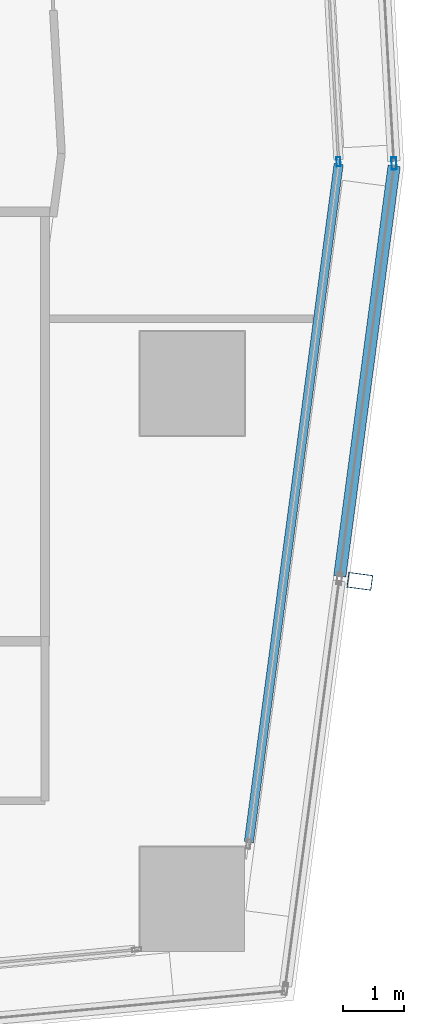
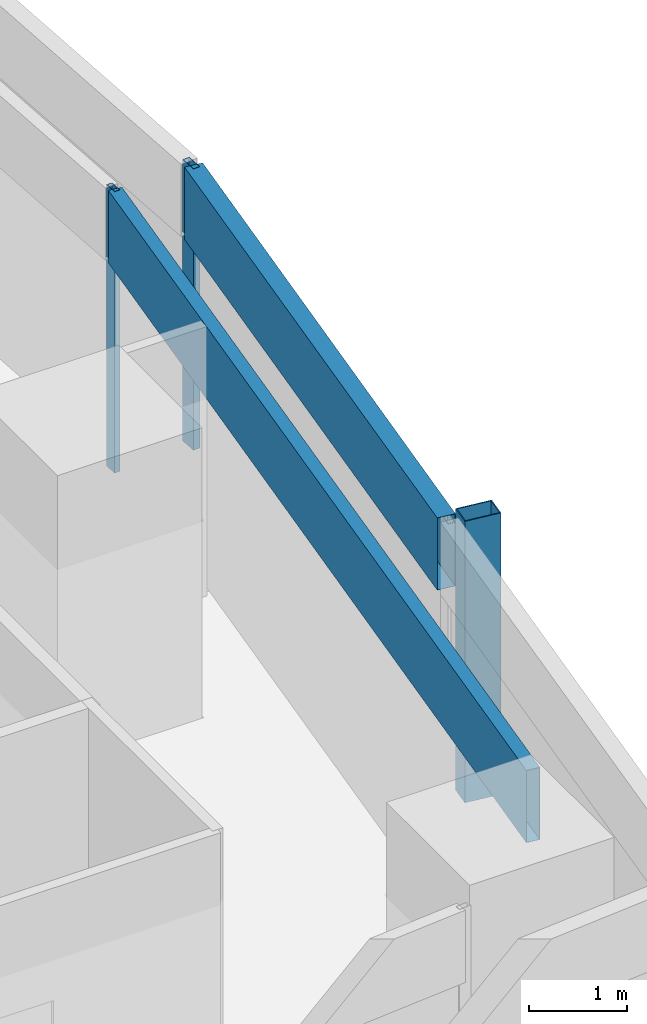
# One storey, part 13 of 39: 5 members, 4 elements without a shape of their own.
"""IFC4 building model written with IfcOpenShell, lengths in metres."""

from ifc_helpers import new_model, si_unit, direction, frame, origin, origin_2d, place, context, subcontext, project, spatial, hollow_rectangle, extrude, material, material_profile, profile_set, type_object, element, aggregate, save


model = new_model("IFC4")

# Units and contexts
model_context = context("Model", 3, precision=1e-05, world=origin(), true_north=direction((0.0, 1.0)))
body_context = subcontext(model_context, "Body", "Model", "MODEL_VIEW")
ifc_project = project(units=[si_unit("LENGTHUNIT", "METRE"), si_unit("AREAUNIT", "SQUARE_METRE"), si_unit("VOLUMEUNIT", "CUBIC_METRE"), si_unit("PLANEANGLEUNIT", "RADIAN"), si_unit("MASSUNIT", "GRAM", prefix="KILO")], contexts=[model_context])

# Site, building, storey
site_placement = place(None, origin())
site = spatial("IfcSite", under=ifc_project, at=site_placement, CompositionType="ELEMENT")
building_placement = place(site_placement, origin())
building = spatial("IfcBuilding", under=site, at=building_placement, Name="Rekha Terrace Tower", CompositionType="ELEMENT")
storey_placement = place(building_placement, frame((0.0, 0.0, 180.199951171875)))
storey = spatial("IfcBuildingStorey", under=building, at=storey_placement, Name="L45", CompositionType="ELEMENT", Elevation=180.199951171875)

# Curtain wall, member
ifc_material_1 = material(Name="Aluminium framing", Category="aluminium")
curtain_wall_type_1 = type_object("IfcCurtainWallType", Name="CW2 double skin outer glazing", PredefinedType="USERDEFINED", material=ifc_material_1)
curtain_wall_1_placement = place(storey_placement, origin())
curtain_wall_1 = element("IfcCurtainWall", 1, at=curtain_wall_1_placement, inside=storey, type_object=curtain_wall_type_1, Name="CW2 double skin outer glazing", ObjectType="DOUBLE SKIN OUTER GLAZING", PredefinedType="USERDEFINED")
ifc_material_2 = material(Name="Steel S355 with fluorocarbon finish", Category="steel")
ifc_material_profile_1 = material_profile(ifc_material_2, hollow_rectangle(XDim=0.25, YDim=0.39990234375, WallThickness=0.012451171875, at=origin_2d()), Name="RHS400x250x12.5")
ifc_profile_set_1 = profile_set([ifc_material_profile_1], Name="Steel S355 with fluorocarbon finish")
member_type_1 = type_object("IfcMemberType", Name="BL1 facade blade RHS 400 x 250", PredefinedType="USERDEFINED", material=ifc_profile_set_1)
member_1_placement = place(storey_placement, frame((61.531005859375, 21.977783203125, 0.0), z_axis=(0.0, 0.0, 1.0), x_axis=(0.131303100637, 0.991342269735, 0.0)))
member_1 = element("IfcMember", 2, at=member_1_placement, type_object=member_type_1, Name="Facade blade", ObjectType="FACADE BLADE", PredefinedType="USERDEFINED", context=body_context, shape_type="SweptSolid", body=[
    extrude(hollow_rectangle(XDim=0.25, YDim=0.39990234375, WallThickness=0.012451171875, at=origin_2d()), origin(), (0.0, 0.0, 1.0), 3.5),
])

curtain_wall_type_2 = type_object("IfcCurtainWallType", Name="CW1 double skin inner glazing", PredefinedType="USERDEFINED", material=ifc_material_1)
curtain_wall_2_placement = place(storey_placement, origin())
curtain_wall_2 = element("IfcCurtainWall", 3, at=curtain_wall_2_placement, inside=storey, type_object=curtain_wall_type_2, Name="CW1 double skin inner glazing", ObjectType="DOUBLE SKIN INNER GLAZING", PredefinedType="USERDEFINED")
ifc_material_3 = material(Name="Aluminium mullion section", Category="aluminium")
ifc_material_profile_2 = material_profile(ifc_material_3, hollow_rectangle(XDim=0.06494140625, YDim=0.14990234375, WallThickness=0.00390625, at=origin_2d()), Name="AL RHS 65x150")
ifc_profile_set_2 = profile_set([ifc_material_profile_2], Name="Aluminium mullion section")
member_type_2 = type_object("IfcMemberType", Name="CW1 mullion RHS 65 x 150", PredefinedType="MULLION", material=ifc_profile_set_2)
member_2_placement = place(storey_placement, frame((61.18408203125, 28.812255859375, 0.0), z_axis=(0.0, 0.0, 1.0), x_axis=(-0.998392782918, -0.056673194877, 0.0)))
member_2 = element("IfcMember", 4, at=member_2_placement, type_object=member_type_2, Name="CW1 mullion 1", PredefinedType="MULLION", context=body_context, shape_type="SweptSolid", body=[
    extrude(hollow_rectangle(XDim=0.06494140625, YDim=0.14990234375, WallThickness=0.00390625, at=origin_2d()), origin(), (0.0, 0.0, 1.0), 3.5),
])
aggregate(curtain_wall_2, [member_2])

curtain_wall_3_placement = place(storey_placement, origin())
curtain_wall_3 = element("IfcCurtainWall", 5, at=curtain_wall_3_placement, inside=storey, type_object=curtain_wall_type_2, Name="CW1 double skin inner glazing", ObjectType="DOUBLE SKIN INNER GLAZING", PredefinedType="USERDEFINED")
ifc_material_4 = material(Name="Insulated aluminium spandrel box", Category="aluminium")
ifc_material_profile_3 = material_profile(ifc_material_4, hollow_rectangle(XDim=0.14990234375, YDim=0.89990234375, WallThickness=0.0029296875, at=origin_2d()), Name="AL SPANDREL BOX 150x900")
ifc_profile_set_3 = profile_set([ifc_material_profile_3], Name="Insulated aluminium spandrel box")
member_type_3 = type_object("IfcMemberType", Name="CW1 spandrel transom 150 x 900", PredefinedType="USERDEFINED", material=ifc_profile_set_3)
member_3_placement = place(storey_placement, frame((59.721923828125, 17.726318359375, 3.050048828125), z_axis=(0.131310300879, 0.991341316038, 0.0), x_axis=(-0.991341316038, 0.131310300879, 0.0)))
member_3 = element("IfcMember", 6, at=member_3_placement, type_object=member_type_3, Name="CW1 spandrel transom 1", ObjectType="TRANSOM", PredefinedType="USERDEFINED", context=body_context, shape_type="SweptSolid", body=[
    extrude(hollow_rectangle(XDim=0.14990234375, YDim=0.89990234375, WallThickness=0.0029296875, at=origin_2d()), origin(), (0.0, 0.0, 1.0), 11.14990234375),
])
aggregate(curtain_wall_3, [member_3])

curtain_wall_4_placement = place(storey_placement, origin())
curtain_wall_4 = element("IfcCurtainWall", 7, at=curtain_wall_4_placement, inside=storey, type_object=curtain_wall_type_1, Name="CW2 double skin outer glazing", ObjectType="DOUBLE SKIN OUTER GLAZING", PredefinedType="USERDEFINED")
ifc_material_profile_4 = material_profile(ifc_material_3, hollow_rectangle(XDim=0.080078125, YDim=0.199951171875, WallThickness=0.00390625, at=origin_2d()), Name="AL RHS 80x200")
ifc_profile_set_4 = profile_set([ifc_material_profile_4], Name="Aluminium mullion section")
member_type_4 = type_object("IfcMemberType", Name="CW2 mullion RHS 80 x 200", PredefinedType="MULLION", material=ifc_profile_set_4)
member_4_placement = place(storey_placement, frame((62.087158203125, 28.785888671875, 0.0), z_axis=(0.0, 0.0, 1.0), x_axis=(-0.998392782919, -0.05667319486, 0.0)))
member_4 = element("IfcMember", 8, at=member_4_placement, type_object=member_type_4, Name="CW2 mullion 1", PredefinedType="MULLION", context=body_context, shape_type="SweptSolid", body=[
    extrude(hollow_rectangle(XDim=0.080078125, YDim=0.199951171875, WallThickness=0.00390625, at=origin_2d()), origin(), (0.0, 0.0, 1.0), 3.5),
])
aggregate(curtain_wall_4, [member_4])

# Member
ifc_material_profile_5 = material_profile(ifc_material_4, hollow_rectangle(XDim=0.199951171875, YDim=0.89990234375, WallThickness=0.0029296875, at=origin_2d()), Name="AL SPANDREL BOX 200x900")
ifc_profile_set_5 = profile_set([ifc_material_profile_5], Name="Insulated aluminium spandrel box")
member_type_5 = type_object("IfcMemberType", Name="CW2 spandrel transom 200 x 900", PredefinedType="USERDEFINED", material=ifc_profile_set_5)
member_5_placement = place(storey_placement, frame((61.2041015625, 22.0615234375, 3.050048828125), z_axis=(0.131286165193, 0.991344512684, 0.0), x_axis=(-0.991344512684, 0.131286165193, 0.0)))
member_5 = element("IfcMember", 9, at=member_5_placement, type_object=member_type_5, Name="CW2 spandrel transom 2", ObjectType="TRANSOM", PredefinedType="USERDEFINED", context=body_context, shape_type="SweptSolid", body=[
    extrude(hollow_rectangle(XDim=0.199951171875, YDim=0.89990234375, WallThickness=0.0029296875, at=origin_2d()), origin(), (0.0, 0.0, 1.0), 6.742919921875),
])

aggregate(curtain_wall_1, [member_5, member_1])

save(model, "model.ifc")
